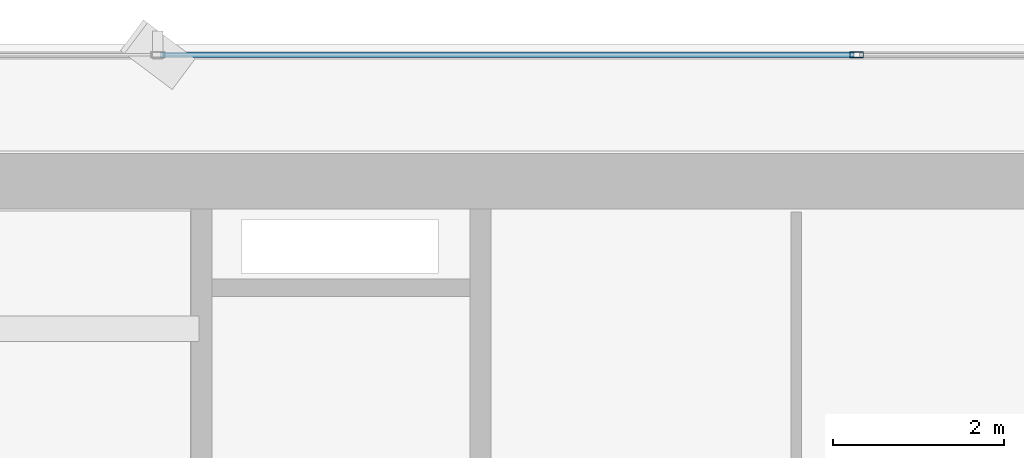
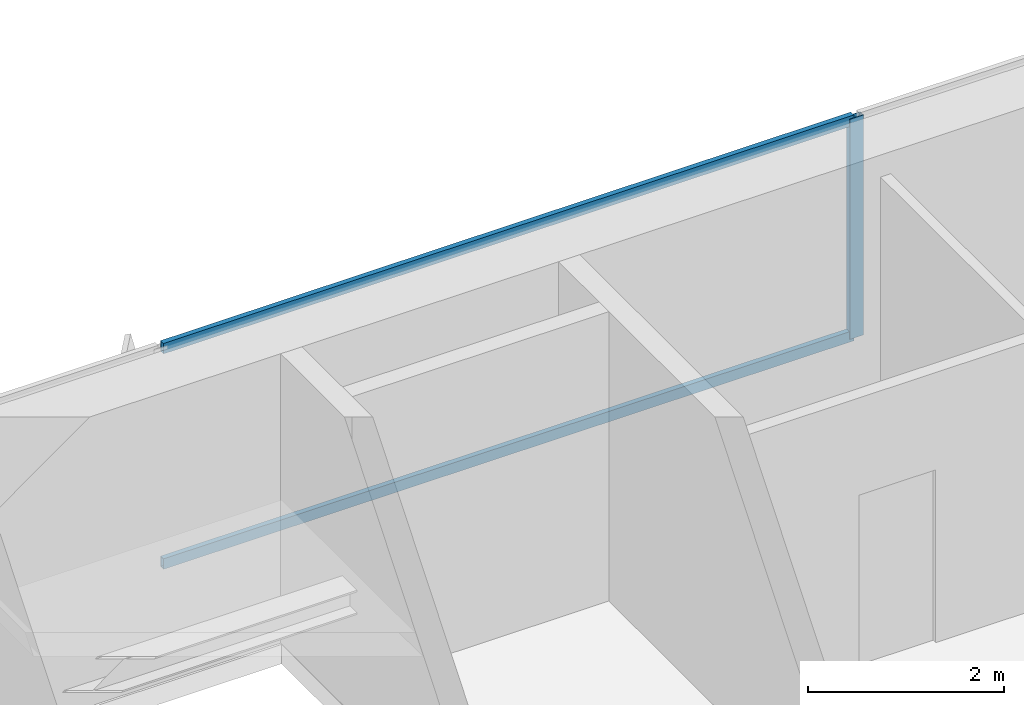
# One storey, part 21 of 37: 3 members, 1 element without a shape of its own.
"""IFC4 building model written with IfcOpenShell, lengths in metres."""

from ifc_helpers import new_model, si_unit, direction, frame, origin, origin_2d, place, context, subcontext, project, spatial, hollow_rectangle, extrude, source, transform, mapped, material, layer, layer_set, material_profile, profile_set, type_object, element, aggregate, save


model = new_model("IFC4")

# Units and contexts
model_context = context("Model", 3, precision=1e-05, world=origin(), true_north=direction((0.0, 1.0)))
body_context = subcontext(model_context, "Body", "Model", "MODEL_VIEW")
ifc_project = project(units=[si_unit("LENGTHUNIT", "METRE"), si_unit("AREAUNIT", "SQUARE_METRE"), si_unit("VOLUMEUNIT", "CUBIC_METRE"), si_unit("PLANEANGLEUNIT", "RADIAN"), si_unit("MASSUNIT", "GRAM", prefix="KILO")], contexts=[model_context])

# Site, building, storey
site_placement = place(None, origin())
site = spatial("IfcSite", under=ifc_project, at=site_placement, CompositionType="ELEMENT")
building_placement = place(site_placement, origin())
building = spatial("IfcBuilding", under=site, at=building_placement, Name="Sumidabori Civic Tower", CompositionType="ELEMENT")
storey_placement = place(building_placement, frame((0.0, 0.0, 110.0)))
storey = spatial("IfcBuildingStorey", under=building, at=storey_placement, Name="L28", CompositionType="ELEMENT", Elevation=110.0)

# Curtain wall, members
ifc_material = material(Name="Anodised Bronze Aluminium AW-6063-T6", Category="aluminium")
ifc_layer = layer(ifc_material, 0.179931640625, Name="Anodised Bronze Aluminium AW-6063-T6")
ifc_layer_set = layer_set([ifc_layer], Name="Anodised Bronze Aluminium AW-6063-T6")
curtain_wall_type = type_object("IfcCurtainWallType", Name="CW-SYS-3", PredefinedType="NOTDEFINED", material=ifc_layer_set)
curtain_wall_placement = place(storey_placement, origin())
curtain_wall = element("IfcCurtainWall", 1, at=curtain_wall_placement, inside=storey, type_object=curtain_wall_type, Name="Curtain Wall CW:L28:R07", PredefinedType="NOTDEFINED")
ifc_material_profile_1 = material_profile(ifc_material, hollow_rectangle(XDim=0.06494140625, YDim=0.159912109375, WallThickness=0.0048828125, at=origin_2d()), Name="ALU MULLION 160x65")
ifc_profile_set_1 = profile_set([ifc_material_profile_1], Name="Anodised Bronze Aluminium AW-6063-T6")
member_type_1 = type_object("IfcMemberType", Name="CW-MUL-160", PredefinedType="MULLION", material=ifc_profile_set_1)
shared_shape_1 = source(origin(), body_context, "Body", "SweptSolid", [
    extrude(hollow_rectangle(XDim=0.06494140625, YDim=0.159912109375, WallThickness=0.0048828125, at=origin_2d()), origin(), (0.0, 0.0, 1.0), 2.739990234375),
])
member_1_placement = place(storey_placement, frame((-4.093994140625, 25.280029296875, 0.0), z_axis=(0.0, 0.0, 1.0), x_axis=(0.0, -1.0, 0.0)))
member_1 = element("IfcMember", 2, at=member_1_placement, type_object=member_type_1, Name="CW-3 mullion 4", PredefinedType="MULLION", context=body_context, shape_type="MappedRepresentation", body=[
    mapped(shared_shape_1, transform((0.0, 0.0, 0.0), x_axis=(1.0, 0.0, 0.0), y_axis=(0.0, 1.0, 0.0), z_axis=(0.0, 0.0, 1.0), scale=1.0)),
])
ifc_material_profile_2 = material_profile(ifc_material, hollow_rectangle(XDim=0.06005859375, YDim=0.1298828125, WallThickness=0.0048828125, at=origin_2d()), Name="ALU TRANSOM 130x60")
ifc_profile_set_2 = profile_set([ifc_material_profile_2], Name="Anodised Bronze Aluminium AW-6063-T6")
member_type_2 = type_object("IfcMemberType", Name="CW-TRN-130", PredefinedType="USERDEFINED", material=ifc_profile_set_2)
shared_shape_2 = source(origin(), body_context, "Body", "SweptSolid", [
    extrude(hollow_rectangle(XDim=0.06005859375, YDim=0.1298828125, WallThickness=0.0048828125, at=origin_2d()), origin(), (0.0, 0.0, 1.0), 8.123046875),
])
member_2_placement = place(storey_placement, frame((-4.12646484375, 25.280029296875, 0.030029296875), z_axis=(-1.0, 0.0, 0.0), x_axis=(0.0, -1.0, 0.0)))
member_2 = element("IfcMember", 3, at=member_2_placement, type_object=member_type_2, Name="CW-3 transom 4.1", ObjectType="TRANSOM", PredefinedType="USERDEFINED", context=body_context, shape_type="MappedRepresentation", body=[
    mapped(shared_shape_2, transform((0.0, 0.0, 0.0), x_axis=(1.0, 0.0, 0.0), y_axis=(0.0, 1.0, 0.0), z_axis=(0.0, 0.0, 1.0), scale=1.0)),
])
member_3_placement = place(storey_placement, frame((-4.12646484375, 25.280029296875, 2.7099609375), z_axis=(-1.0, 0.0, 0.0), x_axis=(0.0, -1.0, 0.0)))
member_3 = element("IfcMember", 4, at=member_3_placement, type_object=member_type_2, Name="CW-3 transom 4.2", ObjectType="TRANSOM", PredefinedType="USERDEFINED", context=body_context, shape_type="MappedRepresentation", body=[
    mapped(shared_shape_2, transform((0.0, 0.0, 0.0), x_axis=(1.0, 0.0, 0.0), y_axis=(0.0, 1.0, 0.0), z_axis=(0.0, 0.0, 1.0), scale=1.0)),
])
aggregate(curtain_wall, [member_1, member_2, member_3])

save(model, "model.ifc")
